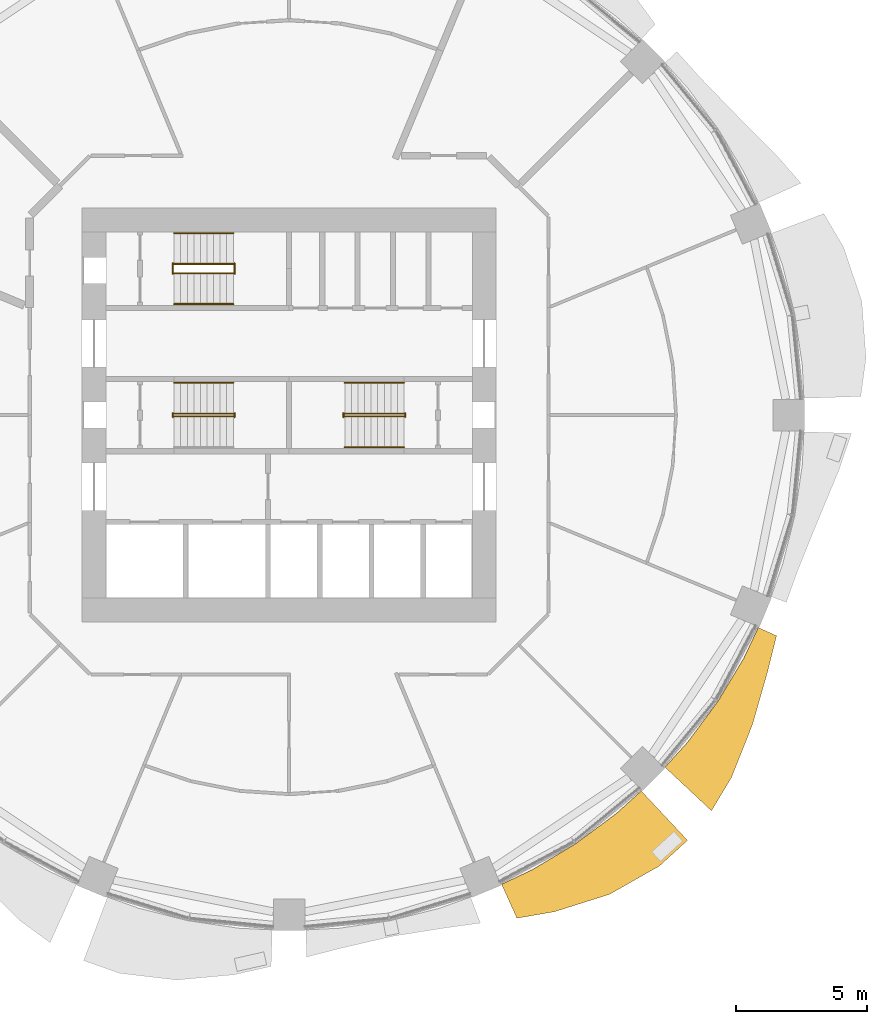
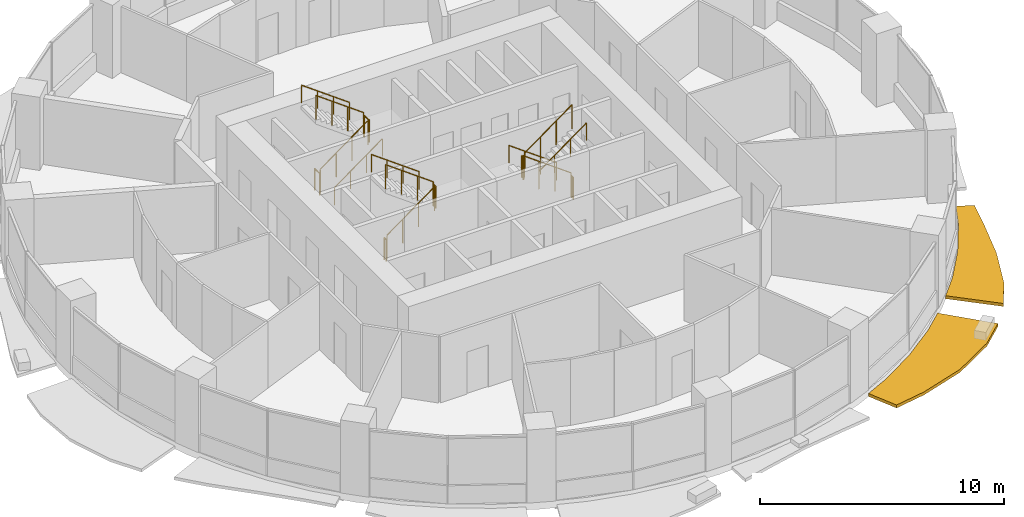
# One storey, part 13 of 15: 17 railings, 2 shading devices.
"""IFC4 building model written with IfcOpenShell, lengths in metres."""

from ifc_helpers import new_model, si_unit, direction, frame, origin, origin_2d, place, context, subcontext, project, spatial, polyline, circle, outline, extrude, material, type_object, element, save


model = new_model("IFC4")

# Units and contexts
model_context = context("Model", 3, precision=1e-05, world=origin(), true_north=direction((0.0, 1.0)))
body_context = subcontext(model_context, "Body", "Model", "MODEL_VIEW")
ifc_project = project(units=[si_unit("LENGTHUNIT", "METRE"), si_unit("AREAUNIT", "SQUARE_METRE"), si_unit("VOLUMEUNIT", "CUBIC_METRE"), si_unit("PLANEANGLEUNIT", "RADIAN"), si_unit("MASSUNIT", "GRAM", prefix="KILO")], contexts=[model_context])

# Site, building, storey
site_placement = place(None, origin())
site = spatial("IfcSite", under=ifc_project, at=site_placement, CompositionType="ELEMENT")
building_placement = place(site_placement, origin())
building = spatial("IfcBuilding", under=site, at=building_placement, Name="Polderwave Tower", CompositionType="ELEMENT")
storey_placement = place(building_placement, frame((0.0, 0.0, 51.75)))
storey = spatial("IfcBuildingStorey", under=building, at=storey_placement, Name="L13", CompositionType="ELEMENT", Elevation=51.75)

# Railings
ifc_material_1 = material(Name="Stainless steel", Category="steel")
railing_type_1 = type_object("IfcRailingType", Name="Stair guard 1100", PredefinedType="GUARDRAIL", material=ifc_material_1)
railing_1_placement = place(storey_placement, frame((-4.3740234375, -0.051025390625, 0.0625)))
element("IfcRailing", 1, at=railing_1_placement, inside=storey, type_object=railing_type_1, Name="L13 ST-A stair guard 1", PredefinedType="GUARDRAIL", context=body_context, shape_type="SweptSolid", body=[
    extrude(circle(Radius=0.02392578125, at=origin_2d()), frame((0.0, 0.0, 1.1962890625), z_axis=(0.807715371301, 0.0, 0.589572623995), x_axis=(0.0, 1.0, 0.0)), (0.0, 0.0, 1.0), 2.78564453125),
    extrude(circle(Radius=0.02392578125, at=origin_2d()), origin(), (0.0, 0.0, 1.0), 1.172119140625),
    extrude(circle(Radius=0.02392578125, at=origin_2d()), frame((0.75, 0.0, 0.54736328125)), (0.0, 0.0, 1.0), 1.172119140625),
    extrude(circle(Radius=0.02392578125, at=origin_2d()), frame((1.5, 0.0, 1.094970703125)), (0.0, 0.0, 1.0), 1.172119140625),
    extrude(circle(Radius=0.02392578125, at=origin_2d()), frame((2.25, 0.0, 1.642333984375)), (0.0, 0.0, 1.0), 1.172119140625),
])
railing_2_placement = place(storey_placement, frame((-2.073974609375, -0.074951171875, 1.824951171875)))
element("IfcRailing", 2, at=railing_2_placement, inside=storey, type_object=railing_type_1, Name="L13 ST-A stair guard 2", PredefinedType="GUARDRAIL", context=body_context, shape_type="SweptSolid", body=[
    extrude(circle(Radius=0.02392578125, at=origin_2d()), frame((0.0, 0.0, 1.076171875), z_axis=(0.0, 1.0, 0.0), x_axis=(-1.0, 0.0, 0.0)), (0.0, 0.0, 1.0), 0.14990234375),
    extrude(circle(Radius=0.02099609375, at=origin_2d()), origin(), (0.0, 0.0, 1.0), 1.052001953125),
    extrude(circle(Radius=0.02099609375, at=origin_2d()), frame((0.0, 0.14990234375, 0.0)), (0.0, 0.0, 1.0), 1.052001953125),
])
railing_3_placement = place(storey_placement, frame((-2.1240234375, 0.051025390625, 1.887451171875)))
element("IfcRailing", 3, at=railing_3_placement, inside=storey, type_object=railing_type_1, Name="L13 ST-A stair guard 3", PredefinedType="GUARDRAIL", context=body_context, shape_type="SweptSolid", body=[
    extrude(circle(Radius=0.02392578125, at=origin_2d()), frame((0.0, 0.0, 1.1962890625), z_axis=(-0.807715371301, 0.0, 0.589572623995), x_axis=(0.0, -1.0, 0.0)), (0.0, 0.0, 1.0), 2.78564453125),
    extrude(circle(Radius=0.02392578125, at=origin_2d()), origin(), (0.0, 0.0, 1.0), 1.172119140625),
    extrude(circle(Radius=0.02392578125, at=origin_2d()), frame((-0.75, 0.0, 0.54736328125)), (0.0, 0.0, 1.0), 1.172119140625),
    extrude(circle(Radius=0.02392578125, at=origin_2d()), frame((-1.5, 0.0, 1.094970703125)), (0.0, 0.0, 1.0), 1.172119140625),
    extrude(circle(Radius=0.02392578125, at=origin_2d()), frame((-2.25, 0.0, 1.642333984375)), (0.0, 0.0, 1.0), 1.172119140625),
])
railing_4_placement = place(storey_placement, frame((-4.424072265625, -0.074951171875, 0.0)))
element("IfcRailing", 4, at=railing_4_placement, inside=storey, type_object=railing_type_1, Name="L13 ST-A stair guard 4", PredefinedType="GUARDRAIL", context=body_context, shape_type="SweptSolid", body=[
    extrude(circle(Radius=0.02392578125, at=origin_2d()), frame((0.0, 0.0, 1.076171875), z_axis=(0.0, 1.0, 0.0), x_axis=(-1.0, 0.0, 0.0)), (0.0, 0.0, 1.0), 0.14990234375),
    extrude(circle(Radius=0.02099609375, at=origin_2d()), origin(), (0.0, 0.0, 1.0), 1.052001953125),
    extrude(circle(Radius=0.02099609375, at=origin_2d()), frame((0.0, 0.14990234375, 0.0)), (0.0, 0.0, 1.0), 1.052001953125),
])
railing_5_placement = place(storey_placement, frame((4.3740234375, 0.051025390625, 0.0625)))
element("IfcRailing", 5, at=railing_5_placement, inside=storey, type_object=railing_type_1, Name="L13 ST-B stair guard 1", PredefinedType="GUARDRAIL", context=body_context, shape_type="SweptSolid", body=[
    extrude(circle(Radius=0.02392578125, at=origin_2d()), frame((0.0, 0.0, 1.1962890625), z_axis=(-0.807715371301, 0.0, 0.589572623995), x_axis=(0.0, -1.0, 0.0)), (0.0, 0.0, 1.0), 2.78564453125),
    extrude(circle(Radius=0.02392578125, at=origin_2d()), origin(), (0.0, 0.0, 1.0), 1.172119140625),
    extrude(circle(Radius=0.02392578125, at=origin_2d()), frame((-0.75, 0.0, 0.54736328125)), (0.0, 0.0, 1.0), 1.172119140625),
    extrude(circle(Radius=0.02392578125, at=origin_2d()), frame((-1.5, 0.0, 1.094970703125)), (0.0, 0.0, 1.0), 1.172119140625),
    extrude(circle(Radius=0.02392578125, at=origin_2d()), frame((-2.25, 0.0, 1.642333984375)), (0.0, 0.0, 1.0), 1.172119140625),
])
railing_6_placement = place(storey_placement, frame((2.073974609375, 0.074951171875, 1.824951171875)))
element("IfcRailing", 6, at=railing_6_placement, inside=storey, type_object=railing_type_1, Name="L13 ST-B stair guard 2", PredefinedType="GUARDRAIL", context=body_context, shape_type="SweptSolid", body=[
    extrude(circle(Radius=0.02392578125, at=origin_2d()), frame((0.0, 0.0, 1.076171875), z_axis=(0.0, -1.0, 0.0), x_axis=(1.0, 0.0, 0.0)), (0.0, 0.0, 1.0), 0.14990234375),
    extrude(circle(Radius=0.02099609375, at=origin_2d()), origin(), (0.0, 0.0, 1.0), 1.052001953125),
    extrude(circle(Radius=0.02099609375, at=origin_2d()), frame((0.0, -0.14990234375, 0.0)), (0.0, 0.0, 1.0), 1.052001953125),
])
railing_7_placement = place(storey_placement, frame((2.1240234375, -0.051025390625, 1.887451171875)))
element("IfcRailing", 7, at=railing_7_placement, inside=storey, type_object=railing_type_1, Name="L13 ST-B stair guard 3", PredefinedType="GUARDRAIL", context=body_context, shape_type="SweptSolid", body=[
    extrude(circle(Radius=0.02392578125, at=origin_2d()), frame((0.0, 0.0, 1.1962890625), z_axis=(0.807715371301, 0.0, 0.589572623995), x_axis=(0.0, 1.0, 0.0)), (0.0, 0.0, 1.0), 2.78564453125),
    extrude(circle(Radius=0.02392578125, at=origin_2d()), origin(), (0.0, 0.0, 1.0), 1.172119140625),
    extrude(circle(Radius=0.02392578125, at=origin_2d()), frame((0.75, 0.0, 0.54736328125)), (0.0, 0.0, 1.0), 1.172119140625),
    extrude(circle(Radius=0.02392578125, at=origin_2d()), frame((1.5, 0.0, 1.094970703125)), (0.0, 0.0, 1.0), 1.172119140625),
    extrude(circle(Radius=0.02392578125, at=origin_2d()), frame((2.25, 0.0, 1.642333984375)), (0.0, 0.0, 1.0), 1.172119140625),
])
railing_8_placement = place(storey_placement, frame((4.424072265625, 0.074951171875, 0.0)))
element("IfcRailing", 8, at=railing_8_placement, inside=storey, type_object=railing_type_1, Name="L13 ST-B stair guard 4", PredefinedType="GUARDRAIL", context=body_context, shape_type="SweptSolid", body=[
    extrude(circle(Radius=0.02392578125, at=origin_2d()), frame((0.0, 0.0, 1.076171875), z_axis=(0.0, -1.0, 0.0), x_axis=(1.0, 0.0, 0.0)), (0.0, 0.0, 1.0), 0.14990234375),
    extrude(circle(Radius=0.02099609375, at=origin_2d()), origin(), (0.0, 0.0, 1.0), 1.052001953125),
    extrude(circle(Radius=0.02099609375, at=origin_2d()), frame((0.0, -0.14990234375, 0.0)), (0.0, 0.0, 1.0), 1.052001953125),
])
railing_9_placement = place(storey_placement, frame((-4.3740234375, 5.39794921875, 0.0625)))
element("IfcRailing", 9, at=railing_9_placement, inside=storey, type_object=railing_type_1, Name="L13 ST-C stair guard 1", PredefinedType="GUARDRAIL", context=body_context, shape_type="SweptSolid", body=[
    extrude(circle(Radius=0.02392578125, at=origin_2d()), frame((0.0, 0.0, 1.1962890625), z_axis=(0.807715371301, 0.0, 0.589572623995), x_axis=(0.0, 1.0, 0.0)), (0.0, 0.0, 1.0), 2.78564453125),
    extrude(circle(Radius=0.02392578125, at=origin_2d()), origin(), (0.0, 0.0, 1.0), 1.172119140625),
    extrude(circle(Radius=0.02392578125, at=origin_2d()), frame((0.75, 0.0, 0.54736328125)), (0.0, 0.0, 1.0), 1.172119140625),
    extrude(circle(Radius=0.02392578125, at=origin_2d()), frame((1.5, 0.0, 1.094970703125)), (0.0, 0.0, 1.0), 1.172119140625),
    extrude(circle(Radius=0.02392578125, at=origin_2d()), frame((2.25, 0.0, 1.642333984375)), (0.0, 0.0, 1.0), 1.172119140625),
])
railing_10_placement = place(storey_placement, frame((-2.073974609375, 5.3740234375, 1.824951171875)))
element("IfcRailing", 10, at=railing_10_placement, inside=storey, type_object=railing_type_1, Name="L13 ST-C stair guard 2", PredefinedType="GUARDRAIL", context=body_context, shape_type="SweptSolid", body=[
    extrude(circle(Radius=0.02392578125, at=origin_2d()), frame((0.0, 0.0, 1.076171875), z_axis=(0.0, 1.0, 0.0), x_axis=(-1.0, 0.0, 0.0)), (0.0, 0.0, 1.0), 0.39990234375),
    extrude(circle(Radius=0.02099609375, at=origin_2d()), origin(), (0.0, 0.0, 1.0), 1.052001953125),
    extrude(circle(Radius=0.02099609375, at=origin_2d()), frame((0.0, 0.39990234375, 0.0)), (0.0, 0.0, 1.0), 1.052001953125),
])
railing_11_placement = place(storey_placement, frame((-2.1240234375, 5.75, 1.887451171875)))
element("IfcRailing", 11, at=railing_11_placement, inside=storey, type_object=railing_type_1, Name="L13 ST-C stair guard 3", PredefinedType="GUARDRAIL", context=body_context, shape_type="SweptSolid", body=[
    extrude(circle(Radius=0.02392578125, at=origin_2d()), frame((0.0, 0.0, 1.1962890625), z_axis=(-0.807715371301, 0.0, 0.589572623995), x_axis=(0.0, -1.0, 0.0)), (0.0, 0.0, 1.0), 2.78564453125),
    extrude(circle(Radius=0.02392578125, at=origin_2d()), origin(), (0.0, 0.0, 1.0), 1.172119140625),
    extrude(circle(Radius=0.02392578125, at=origin_2d()), frame((-0.75, 0.0, 0.54736328125)), (0.0, 0.0, 1.0), 1.172119140625),
    extrude(circle(Radius=0.02392578125, at=origin_2d()), frame((-1.5, 0.0, 1.094970703125)), (0.0, 0.0, 1.0), 1.172119140625),
    extrude(circle(Radius=0.02392578125, at=origin_2d()), frame((-2.25, 0.0, 1.642333984375)), (0.0, 0.0, 1.0), 1.172119140625),
])
railing_12_placement = place(storey_placement, frame((-4.424072265625, 5.3740234375, 0.0)))
element("IfcRailing", 12, at=railing_12_placement, inside=storey, type_object=railing_type_1, Name="L13 ST-C stair guard 4", PredefinedType="GUARDRAIL", context=body_context, shape_type="SweptSolid", body=[
    extrude(circle(Radius=0.02392578125, at=origin_2d()), frame((0.0, 0.0, 1.076171875), z_axis=(0.0, 1.0, 0.0), x_axis=(-1.0, 0.0, 0.0)), (0.0, 0.0, 1.0), 0.39990234375),
    extrude(circle(Radius=0.02099609375, at=origin_2d()), origin(), (0.0, 0.0, 1.0), 1.052001953125),
    extrude(circle(Radius=0.02099609375, at=origin_2d()), frame((0.0, 0.39990234375, 0.0)), (0.0, 0.0, 1.0), 1.052001953125),
])
railing_type_2 = type_object("IfcRailingType", Name="Stair handrail 900", PredefinedType="HANDRAIL", material=ifc_material_1)
for number, where, name in (
    (13, (-2.1240234375, 1.22509765625, 2.007568359375), "L13 ST-A stair handrail 2"),
    (14, (4.3740234375, 1.22509765625, 0.1826171875), "L13 ST-B stair handrail 1"),
):
    element("IfcRailing", number, at=place(storey_placement, frame(where)), inside=storey, type_object=railing_type_2, Name=name, PredefinedType="HANDRAIL", context=body_context, shape_type="SweptSolid", body=[
        extrude(circle(Radius=0.02392578125, at=origin_2d()), frame((0.0, 0.0, 0.8759765625), z_axis=(-0.807715371301, 0.0, 0.589572623995), x_axis=(0.0, -1.0, 0.0)), (0.0, 0.0, 1.0), 2.78564453125),
        extrude(circle(Radius=0.02099609375, at=origin_2d()), origin(), (0.0, 0.0, 1.0), 0.851806640625),
        extrude(circle(Radius=0.02099609375, at=origin_2d()), frame((-0.75, 0.0, 0.54736328125)), (0.0, 0.0, 1.0), 0.851806640625),
        extrude(circle(Radius=0.02099609375, at=origin_2d()), frame((-1.5, 0.0, 1.094970703125)), (0.0, 0.0, 1.0), 0.851806640625),
        extrude(circle(Radius=0.02099609375, at=origin_2d()), frame((-2.25, 0.0, 1.642333984375)), (0.0, 0.0, 1.0), 0.851806640625),
    ])
for number, where, name in (
    (15, (2.1240234375, -1.22509765625, 2.007568359375), "L13 ST-B stair handrail 2"),
    (16, (-4.3740234375, 4.22412109375, 0.1826171875), "L13 ST-C stair handrail 1"),
):
    element("IfcRailing", number, at=place(storey_placement, frame(where)), inside=storey, type_object=railing_type_2, Name=name, PredefinedType="HANDRAIL", context=body_context, shape_type="SweptSolid", body=[
        extrude(circle(Radius=0.02392578125, at=origin_2d()), frame((0.0, 0.0, 0.8759765625), z_axis=(0.807715371301, 0.0, 0.589572623995), x_axis=(0.0, 1.0, 0.0)), (0.0, 0.0, 1.0), 2.78564453125),
        extrude(circle(Radius=0.02099609375, at=origin_2d()), origin(), (0.0, 0.0, 1.0), 0.851806640625),
        extrude(circle(Radius=0.02099609375, at=origin_2d()), frame((0.75, 0.0, 0.54736328125)), (0.0, 0.0, 1.0), 0.851806640625),
        extrude(circle(Radius=0.02099609375, at=origin_2d()), frame((1.5, 0.0, 1.094970703125)), (0.0, 0.0, 1.0), 0.851806640625),
        extrude(circle(Radius=0.02099609375, at=origin_2d()), frame((2.25, 0.0, 1.642333984375)), (0.0, 0.0, 1.0), 0.851806640625),
    ])
railing_13_placement = place(storey_placement, frame((-2.1240234375, 6.924072265625, 2.007568359375)))
element("IfcRailing", 17, at=railing_13_placement, inside=storey, type_object=railing_type_2, Name="L13 ST-C stair handrail 2", PredefinedType="HANDRAIL", context=body_context, shape_type="SweptSolid", body=[
    extrude(circle(Radius=0.02392578125, at=origin_2d()), frame((0.0, 0.0, 0.8759765625), z_axis=(-0.807715371301, 0.0, 0.589572623995), x_axis=(0.0, -1.0, 0.0)), (0.0, 0.0, 1.0), 2.78564453125),
    extrude(circle(Radius=0.02099609375, at=origin_2d()), origin(), (0.0, 0.0, 1.0), 0.851806640625),
    extrude(circle(Radius=0.02099609375, at=origin_2d()), frame((-0.75, 0.0, 0.54736328125)), (0.0, 0.0, 1.0), 0.851806640625),
    extrude(circle(Radius=0.02099609375, at=origin_2d()), frame((-1.5, 0.0, 1.094970703125)), (0.0, 0.0, 1.0), 0.851806640625),
    extrude(circle(Radius=0.02099609375, at=origin_2d()), frame((-2.25, 0.0, 1.642333984375)), (0.0, 0.0, 1.0), 0.851806640625),
])

# Shading devices
ifc_material_2 = material(Name="Terracotta", Category="masonry")
shading_device_type = type_object("IfcShadingDeviceType", Name="Terracotta sunshade band", PredefinedType="USERDEFINED", material=ifc_material_2)
shading_device_1_placement = place(storey_placement, frame((0.0, 0.0, -0.35009765625)))
element("IfcShadingDevice", 18, at=shading_device_1_placement, inside=storey, type_object=shading_device_type, Name="Sunshade band L13 14", ObjectType="SUNSHADE", PredefinedType="USERDEFINED", context=body_context, shape_type="SweptSolid", body=[
    extrude(outline(polyline([(8.089599609375, -17.862548828125), (9.25341796875, -17.31201171875), (10.90576171875, -16.32177734375), (12.453125, -15.17431640625), (13.4072265625, -14.3095703125), (15.169677734375, -16.190673828125), (14.092041015625, -17.171142578125), (12.193115234375, -18.248291015625), (10.106201171875, -18.9072265625), (8.67431640625, -19.154052734375), (8.089599609375, -17.862548828125)])), origin(), (0.0, 0.0, 1.0), 0.150146484375),
])
shading_device_2_placement = place(storey_placement, frame((0.0, 0.0, -0.35009765625)))
element("IfcShadingDevice", 19, at=shading_device_2_placement, inside=storey, type_object=shading_device_type, Name="Sunshade band L13 15", ObjectType="SUNSHADE", PredefinedType="USERDEFINED", context=body_context, shape_type="SweptSolid", body=[
    extrude(outline(polyline([(14.3095703125, -13.4072265625), (15.17431640625, -12.453125), (16.32177734375, -10.90576171875), (17.31201171875, -9.25341796875), (17.862548828125, -8.089599609375), (18.55517578125, -8.4033203125), (18.222900390625, -9.740478515625), (17.640380859375, -11.787109375), (16.831298828125, -13.813232421875), (16.07861328125, -15.064697265625), (14.3095703125, -13.4072265625)])), origin(), (0.0, 0.0, 1.0), 0.150146484375),
])

save(model, "model.ifc")
